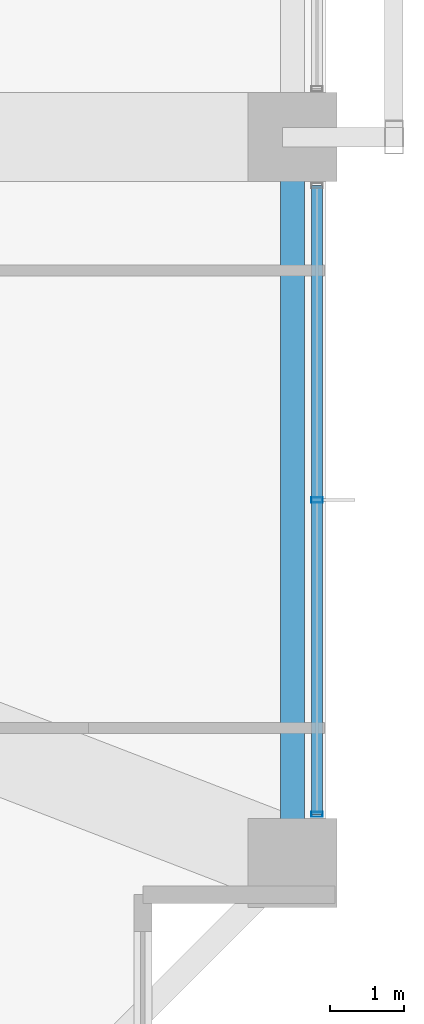
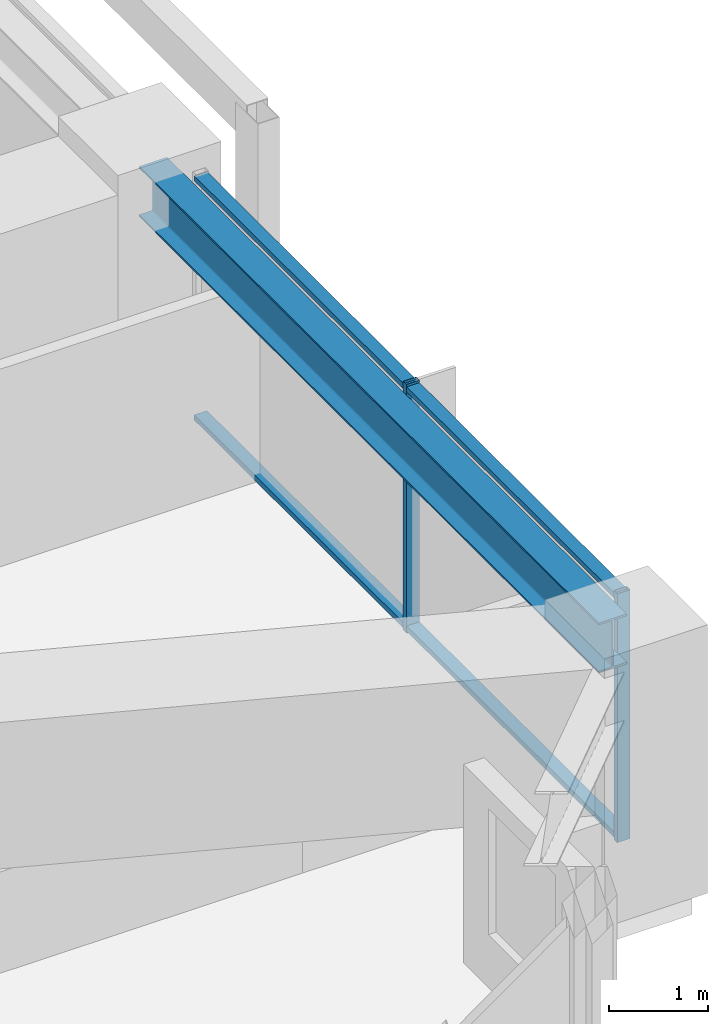
# One storey, part 12 of 37: 4 members, 1 beam, 1 element without a shape of its own.
"""IFC4 building model written with IfcOpenShell, lengths in metres."""

from ifc_helpers import new_model, si_unit, direction, frame, origin, origin_2d, place, context, subcontext, project, spatial, hollow_rectangle, i_section, extrude, material, material_profile, profile_set, type_object, element, aggregate, save


model = new_model("IFC4")

# Units and contexts
model_context = context("Model", 3, precision=1e-05, world=origin(), true_north=direction((0.0, 1.0)))
body_context = subcontext(model_context, "Body", "Model", "MODEL_VIEW")
ifc_project = project(units=[si_unit("LENGTHUNIT", "METRE"), si_unit("AREAUNIT", "SQUARE_METRE"), si_unit("VOLUMEUNIT", "CUBIC_METRE"), si_unit("PLANEANGLEUNIT", "RADIAN"), si_unit("MASSUNIT", "GRAM", prefix="KILO")], contexts=[model_context])

# Site, building, storey
site_placement = place(None, origin())
site = spatial("IfcSite", under=ifc_project, at=site_placement, CompositionType="ELEMENT")
building_placement = place(site_placement, origin())
building = spatial("IfcBuilding", under=site, at=building_placement, Name="Kolvaren Belvedere", CompositionType="ELEMENT")
storey_placement = place(building_placement, frame((0.0, 0.0, 56.800048828125)))
storey = spatial("IfcBuildingStorey", under=building, at=storey_placement, Name="L16", CompositionType="ELEMENT", Elevation=56.800048828125)

# Beam
ifc_material_1 = material(Name="Structural steel ASTM A992 Grade 50", Category="steel")
ifc_material_profile_1 = material_profile(ifc_material_1, i_section(OverallWidth=0.324951171875, OverallDepth=0.615966796875, WebThickness=0.013916015625, FlangeThickness=0.021484375, FilletRadius=0.02001953125, at=origin_2d()), Name="W24X117")
ifc_profile_set_1 = profile_set([ifc_material_profile_1], Name="Structural steel ASTM A992 Grade 50")
beam_type = type_object("IfcBeamType", Name="BM-SPAN-W24X117", PredefinedType="SPANDREL", material=ifc_profile_set_1)
beam_placement = place(storey_placement, frame((21.550048828125, -14.1298828125, 2.751953125), z_axis=(0.0, 1.0, 0.0), x_axis=(-1.0, 0.0, 0.0)))
element("IfcBeam", 1, at=beam_placement, inside=storey, type_object=beam_type, Name="L16 Perimeter Spandrel E1-E2", PredefinedType="SPANDREL", context=body_context, shape_type="SweptSolid", body=[
    extrude(i_section(OverallWidth=0.324951171875, OverallDepth=0.615966796875, WebThickness=0.013916015625, FlangeThickness=0.021484375, FilletRadius=0.02001953125, at=origin_2d()), origin(), (0.0, 0.0, 1.0), 9.259765625),
])

# Curtain wall, members
ifc_material_2 = material(Name="Anodised pale-metal aluminium AA 6063-T6", Category="aluminium")
curtain_wall_type = type_object("IfcCurtainWallType", Name="CW-Z1-LOW", PredefinedType="NOTDEFINED", material=ifc_material_2)
curtain_wall_placement = place(storey_placement, origin())
curtain_wall = element("IfcCurtainWall", 2, at=curtain_wall_placement, inside=storey, type_object=curtain_wall_type, Name="L16 Unitised Curtain Wall FCW-L16-E-B3", PredefinedType="NOTDEFINED")
ifc_material_3 = material(Name="Anodised pale-metal aluminium AA 6063-T6", Category="aluminium")
ifc_material_profile_2 = material_profile(ifc_material_3, hollow_rectangle(XDim=0.070068359375, YDim=0.14990234375, WallThickness=0.004150390625, at=origin_2d()), Name="ALU-MUL-150X70")
ifc_profile_set_2 = profile_set([ifc_material_profile_2], Name="Anodised pale-metal aluminium AA 6063-T6")
member_type_1 = type_object("IfcMemberType", Name="CW-MUL-150", PredefinedType="MULLION", material=ifc_profile_set_2)
member_1_placement = place(storey_placement, frame((21.8798828125, -9.5, 0.0), z_axis=(0.0, 0.0, 1.0), x_axis=(0.0, 1.0, 0.0)))
member_1 = element("IfcMember", 3, at=member_1_placement, type_object=member_type_1, Name="FCW-L16-E-B3 Unitised Mullion 2", PredefinedType="MULLION", context=body_context, shape_type="SweptSolid", body=[
    extrude(hollow_rectangle(XDim=0.070068359375, YDim=0.14990234375, WallThickness=0.004150390625, at=origin_2d()), origin(), (0.0, 0.0, 1.0), 3.06005859375),
])
member_2_placement = place(storey_placement, frame((21.8798828125, -13.7451171875, 0.0), z_axis=(0.0, 0.0, 1.0), x_axis=(0.0, 1.0, 0.0)))
member_2 = element("IfcMember", 4, at=member_2_placement, type_object=member_type_1, Name="FCW-L16-E-B3 Unitised Mullion 3", PredefinedType="MULLION", context=body_context, shape_type="SweptSolid", body=[
    extrude(hollow_rectangle(XDim=0.070068359375, YDim=0.14990234375, WallThickness=0.004150390625, at=origin_2d()), origin(), (0.0, 0.0, 1.0), 3.06005859375),
])
ifc_material_4 = material(Name="Anodised pale-metal aluminium AA 6063-T6", Category="aluminium")
ifc_material_profile_3 = material_profile(ifc_material_4, hollow_rectangle(XDim=0.06494140625, YDim=0.14990234375, WallThickness=0.00390625, at=origin_2d()), Name="ALU-TRN-150X65")
ifc_profile_set_3 = profile_set([ifc_material_profile_3], Name="Anodised pale-metal aluminium AA 6063-T6")
member_type_2 = type_object("IfcMemberType", Name="CW-TRN-150", PredefinedType="USERDEFINED", material=ifc_profile_set_3)
member_3_placement = place(storey_placement, frame((21.8798828125, -5.2548828125, 0.06005859375), z_axis=(0.0, -1.0, 0.0), x_axis=(0.0, 0.0, 1.0)))
member_3 = element("IfcMember", 5, at=member_3_placement, type_object=member_type_2, Name="FCW-L16-E-B3 Sill Transom", ObjectType="TRANSOM", PredefinedType="USERDEFINED", context=body_context, shape_type="SweptSolid", body=[
    extrude(hollow_rectangle(XDim=0.06494140625, YDim=0.14990234375, WallThickness=0.00390625, at=origin_2d()), origin(), (0.0, 0.0, 1.0), 8.490234375),
])
member_4_placement = place(storey_placement, frame((21.8798828125, -5.2548828125, 3.0), z_axis=(0.0, -1.0, 0.0), x_axis=(0.0, 0.0, 1.0)))
member_4 = element("IfcMember", 6, at=member_4_placement, type_object=member_type_2, Name="FCW-L16-E-B3 Head Transom", ObjectType="TRANSOM", PredefinedType="USERDEFINED", context=body_context, shape_type="SweptSolid", body=[
    extrude(hollow_rectangle(XDim=0.06494140625, YDim=0.14990234375, WallThickness=0.00390625, at=origin_2d()), origin(), (0.0, 0.0, 1.0), 8.490234375),
])
aggregate(curtain_wall, [member_1, member_2, member_3, member_4])

save(model, "model.ifc")
